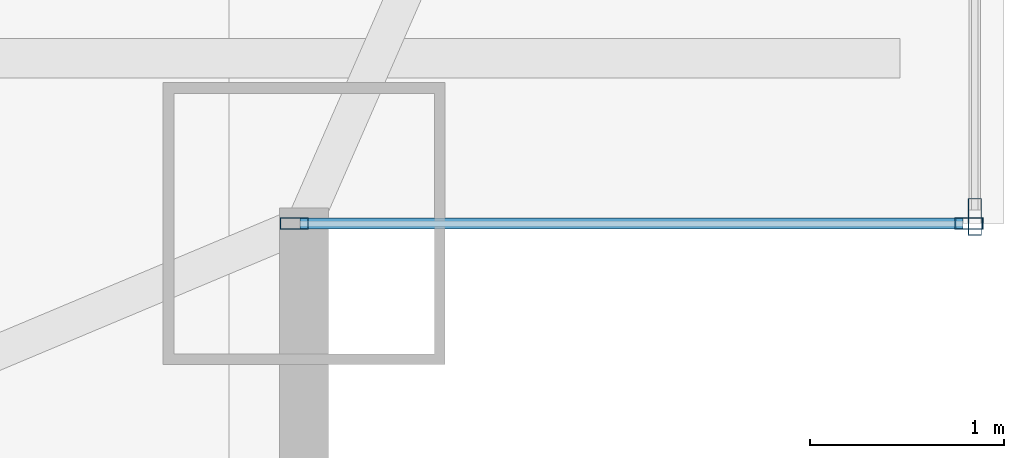
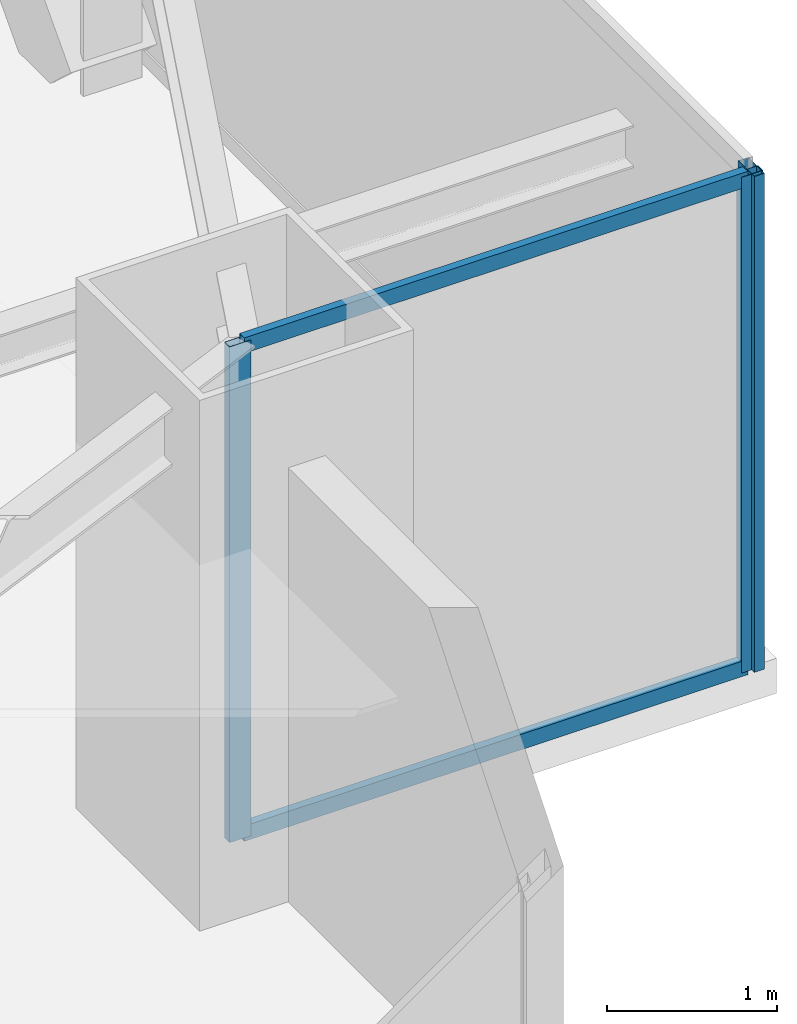
# One storey, part 18 of 38: 5 members, 2 elements without a shape of their own.
"""IFC4 building model written with IfcOpenShell, lengths in metres."""

from ifc_helpers import new_model, si_unit, direction, frame, origin, origin_2d, place, context, subcontext, project, spatial, hollow_rectangle, extrude, source, transform, mapped, material, layer, layer_set, material_profile, profile_set, type_object, type_shapes, element, aggregate, save


model = new_model("IFC4")

# Units and contexts
model_context = context("Model", 3, precision=1e-05, world=origin(), true_north=direction((0.0, 1.0)))
body_context = subcontext(model_context, "Body", "Model", "MODEL_VIEW")
ifc_project = project(units=[si_unit("LENGTHUNIT", "METRE"), si_unit("AREAUNIT", "SQUARE_METRE"), si_unit("VOLUMEUNIT", "CUBIC_METRE"), si_unit("PLANEANGLEUNIT", "RADIAN"), si_unit("MASSUNIT", "GRAM", prefix="KILO")], contexts=[model_context])

# Site, building, storey
site_placement = place(None, origin())
site = spatial("IfcSite", under=ifc_project, at=site_placement, CompositionType="ELEMENT")
building_placement = place(site_placement, origin())
building = spatial("IfcBuilding", under=site, at=building_placement, Name="Varnel Quay Broadcast Tower", CompositionType="ELEMENT")
storey_placement = place(building_placement, frame((0.0, 0.0, 118.199951171875)))
storey = spatial("IfcBuildingStorey", under=building, at=storey_placement, Name="L28", CompositionType="ELEMENT", Elevation=118.199951171875)

# Curtain wall, members
ifc_material = material(Name="Anodised Bronze Aluminium 6063-T6", Category="aluminium")
ifc_layer_1 = layer(ifc_material, 0.18994140625, Name="Anodised Bronze Aluminium 6063-T6")
ifc_layer_set_1 = layer_set([ifc_layer_1], Name="Anodised Bronze Aluminium 6063-T6")
curtain_wall_type_1 = type_object("IfcCurtainWallType", Name="CW_NotchCorner", PredefinedType="NOTDEFINED", material=ifc_layer_set_1)
curtain_wall_1_placement = place(storey_placement, origin())
curtain_wall_1 = element("IfcCurtainWall", 1, at=curtain_wall_1_placement, inside=storey, type_object=curtain_wall_type_1, Name="L28 SE Notch Curtain Wall", PredefinedType="NOTDEFINED")
ifc_material_profile_1 = material_profile(ifc_material, hollow_rectangle(XDim=0.054931640625, YDim=0.110107421875, WallThickness=0.0029296875, at=origin_2d()), Name="ALU55X110X3")
ifc_profile_set_1 = profile_set([ifc_material_profile_1], Name="Anodised Bronze Aluminium 6063-T6")
member_type_1 = type_object("IfcMemberType", Name="Tran_CWS-04", PredefinedType="USERDEFINED", material=ifc_profile_set_1)
shared_shape_1 = source(origin(), body_context, "Body", "SweptSolid", [
    extrude(hollow_rectangle(XDim=0.054931640625, YDim=0.110107421875, WallThickness=0.0029296875, at=origin_2d()), origin(), (0.0, 0.0, 1.0), 3.41015625),
])
type_shapes(member_type_1, [shared_shape_1])
member_1_placement = place(storey_placement, frame((59.8798828125, 7.800048828125, 0.027587890625), z_axis=(1.0, 0.0, 0.0), x_axis=(0.0, 1.0, 0.0)))
member_1 = element("IfcMember", 2, at=member_1_placement, type_object=member_type_1, Name="CWS-04 transom 1.1", ObjectType="TRANSOM", PredefinedType="USERDEFINED", context=body_context, shape_type="MappedRepresentation", body=[
    mapped(shared_shape_1, transform((0.0, 0.0, 0.0), x_axis=(1.0, 0.0, 0.0), y_axis=(0.0, 1.0, 0.0), z_axis=(0.0, 0.0, 1.0), scale=1.0)),
])
member_2_placement = place(storey_placement, frame((59.8798828125, 7.800048828125, 3.5224609375), z_axis=(1.0, 0.0, 0.0), x_axis=(0.0, 1.0, 0.0)))
member_2 = element("IfcMember", 3, at=member_2_placement, type_object=member_type_1, Name="CWS-04 transom 1.2", ObjectType="TRANSOM", PredefinedType="USERDEFINED", context=body_context, shape_type="MappedRepresentation", body=[
    mapped(shared_shape_1, transform((0.0, 0.0, 0.0), x_axis=(1.0, 0.0, 0.0), y_axis=(0.0, 1.0, 0.0), z_axis=(0.0, 0.0, 1.0), scale=1.0)),
])

# Curtain wall, member
ifc_layer_2 = layer(ifc_material, 0.18994140625, Name="Anodised Bronze Aluminium 6063-T6")
ifc_layer_set_2 = layer_set([ifc_layer_2], Name="Anodised Bronze Aluminium 6063-T6")
curtain_wall_type_2 = type_object("IfcCurtainWallType", Name="CW_LowerTower", PredefinedType="NOTDEFINED", material=ifc_layer_set_2)
curtain_wall_2_placement = place(storey_placement, origin())
curtain_wall_2 = element("IfcCurtainWall", 4, at=curtain_wall_2_placement, inside=storey, type_object=curtain_wall_type_2, Name="L28 East Unitised Curtain Wall", PredefinedType="NOTDEFINED")
ifc_material_profile_2 = material_profile(ifc_material, hollow_rectangle(XDim=0.070068359375, YDim=0.18994140625, WallThickness=0.00390625, at=origin_2d()), Name="ALU70X190X4")
ifc_profile_set_2 = profile_set([ifc_material_profile_2], Name="Anodised Bronze Aluminium 6063-T6")
member_type_2 = type_object("IfcMemberType", Name="Mull_CWS-02", PredefinedType="MULLION", material=ifc_profile_set_2)
shared_shape_2 = source(origin(), body_context, "Body", "SweptSolid", [
    extrude(hollow_rectangle(XDim=0.070068359375, YDim=0.18994140625, WallThickness=0.00390625, at=origin_2d()), origin(), (0.0, 0.0, 1.0), 3.550048828125),
])
type_shapes(member_type_2, [shared_shape_2])
member_3_placement = place(storey_placement, frame((63.35009765625, 7.8349609375, 0.0), z_axis=(0.0, 0.0, 1.0), x_axis=(-1.0, 0.0, 0.0)))
member_3 = element("IfcMember", 5, at=member_3_placement, type_object=member_type_2, Name="CWS-02 mullion 1", PredefinedType="MULLION", context=body_context, shape_type="MappedRepresentation", body=[
    mapped(shared_shape_2, transform((0.0, 0.0, 0.0), x_axis=(1.0, 0.0, 0.0), y_axis=(0.0, 1.0, 0.0), z_axis=(0.0, 0.0, 1.0), scale=1.0)),
])
aggregate(curtain_wall_2, [member_3])

# Member
ifc_material_profile_3 = material_profile(ifc_material, hollow_rectangle(XDim=0.06005859375, YDim=0.14501953125, WallThickness=0.00341796875, at=origin_2d()), Name="ALU60X145X3.5")
ifc_profile_set_3 = profile_set([ifc_material_profile_3], Name="Anodised Bronze Aluminium 6063-T6")
member_type_3 = type_object("IfcMemberType", Name="Mull_CWS-04", PredefinedType="MULLION", material=ifc_profile_set_3)
shared_shape_3 = source(origin(), body_context, "Body", "SweptSolid", [
    extrude(hollow_rectangle(XDim=0.06005859375, YDim=0.14501953125, WallThickness=0.00341796875, at=origin_2d()), origin(), (0.0, 0.0, 1.0), 3.550048828125),
])
type_shapes(member_type_3, [shared_shape_3])
member_4_placement = place(storey_placement, frame((59.85009765625, 7.800048828125, 0.0), z_axis=(0.0, 0.0, 1.0), x_axis=(0.0, 1.0, 0.0)))
member_4 = element("IfcMember", 6, at=member_4_placement, type_object=member_type_3, Name="CWS-04 mullion 1", PredefinedType="MULLION", context=body_context, shape_type="MappedRepresentation", body=[
    mapped(shared_shape_3, transform((0.0, 0.0, 0.0), x_axis=(1.0, 0.0, 0.0), y_axis=(0.0, 1.0, 0.0), z_axis=(0.0, 0.0, 1.0), scale=1.0)),
])

member_5_placement = place(storey_placement, frame((63.320068359375, 7.800048828125, 0.0), z_axis=(0.0, 0.0, 1.0), x_axis=(0.0, 1.0, 0.0)))
member_5 = element("IfcMember", 7, at=member_5_placement, type_object=member_type_3, Name="CWS-04 mullion 2", PredefinedType="MULLION", context=body_context, shape_type="MappedRepresentation", body=[
    mapped(shared_shape_3, transform((0.0, 0.0, 0.0), x_axis=(1.0, 0.0, 0.0), y_axis=(0.0, 1.0, 0.0), z_axis=(0.0, 0.0, 1.0), scale=1.0)),
])

aggregate(curtain_wall_1, [member_4, member_5, member_1, member_2])

save(model, "model.ifc")
